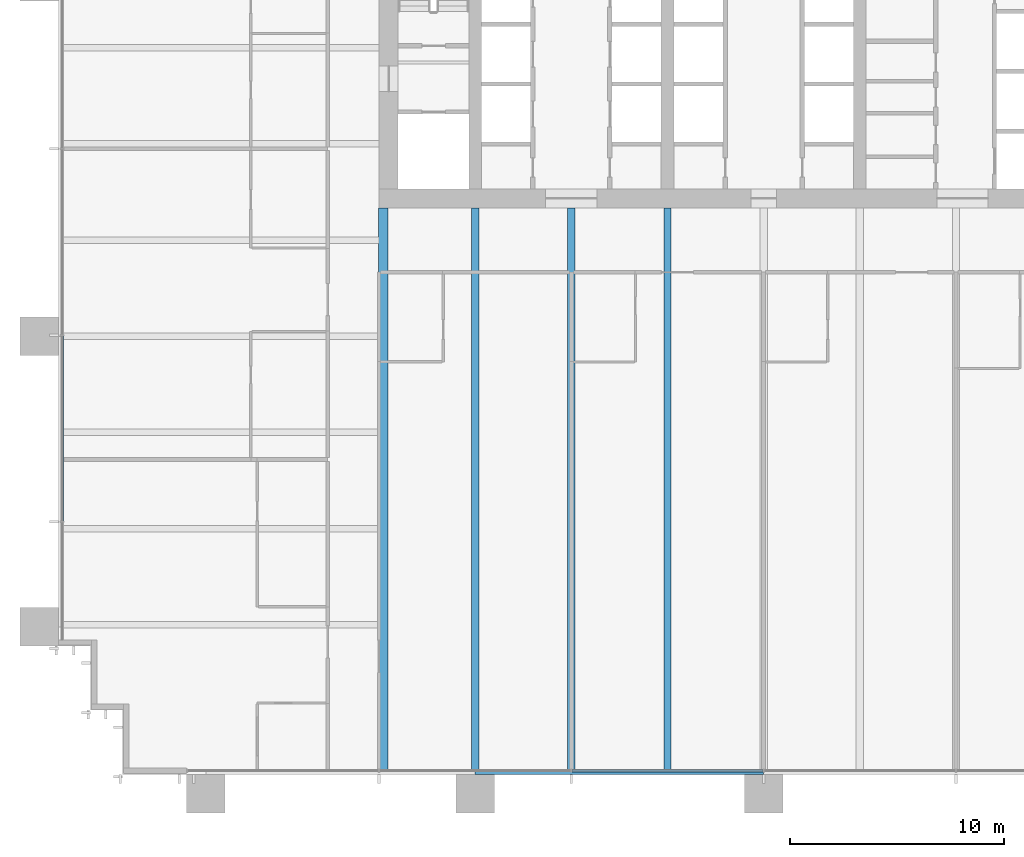
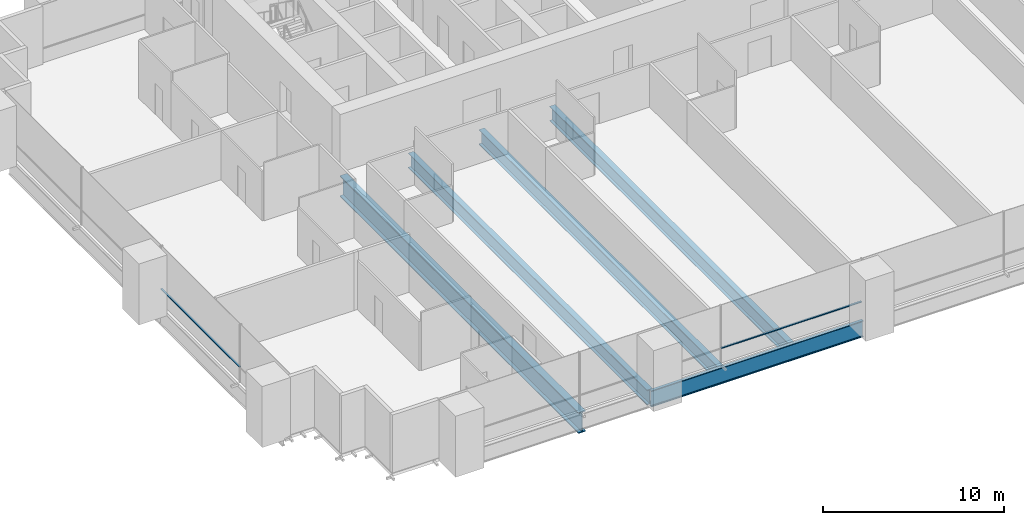
# One storey, part 3 of 17: 5 beams, 2 members, 2 elements without a shape of their own.
"""IFC4 building model written with IfcOpenShell, lengths in metres."""

import ifcopenshell
import ifcopenshell.guid

model = None  # the IFC model being written
_history = None  # IfcOwnerHistory: only IFC2X3 demands one
_inside = {}  # id of a spatial element -> (the spatial element, [elements in it])
_under = {}  # id of a project, library or spatial element -> (it, [spatial elements below it])
_declared = {}  # id of a project -> (the project, [libraries it declares])
_typed = {}  # id of a type object -> (the type object, [elements of that type])
_made_of = {}  # id of a material, layer set ... -> (it, [elements and type objects made of it])


def new_model(schema):
    """Start an empty IFC model of exactly this schema.

    Asked for "IFC4X3", IfcOpenShell would pick the latest addendum, in which some entities
    have other attributes; the version numbers below select the first issue.
    IFC2X3 requires an IfcOwnerHistory on every rooted entity: one is made here for all.
    """
    global model, _history
    if schema == "IFC4X3":
        model = ifcopenshell.file(schema_version=(4, 3, 0, 0))
    else:
        model = ifcopenshell.file(schema=schema)
    _inside.clear()
    _under.clear()
    _declared.clear()
    _typed.clear()
    _made_of.clear()
    _history = None
    if model.schema == "IFC2X3":
        org = make("IfcOrganization", Name="unknown")
        user = make(
            "IfcPersonAndOrganization",
            ThePerson=make("IfcPerson", FamilyName="unknown"),
            TheOrganization=org,
        )
        app = make(
            "IfcApplication",
            ApplicationDeveloper=org,
            Version="unknown",
            ApplicationFullName="unknown",
            ApplicationIdentifier="unknown",
        )
        _history = make(
            "IfcOwnerHistory",
            OwningUser=user,
            OwningApplication=app,
            ChangeAction="ADDED",
            CreationDate=0,
        )
    return model


def make(cls, **values):
    """One entity of the class cls with the attributes given. An attribute that is None is left unset."""
    return model.create_entity(
        cls, **{name: value for name, value in values.items() if value is not None}
    )


def rooted(cls, **values):
    """An entity with a GlobalId (a new one), such as an element, a storey or a relation."""
    return make(cls, GlobalId=ifcopenshell.guid.new(), OwnerHistory=_history, **values)


def si_unit(unit_type, name, prefix=None):
    """IfcSIUnit, for example si_unit("LENGTHUNIT", "METRE", prefix="MILLI")."""
    return make("IfcSIUnit", UnitType=unit_type, Prefix=prefix, Name=name)


def assignment(units):
    """IfcUnitAssignment: the units of a project."""
    return None if units is None else make("IfcUnitAssignment", Units=units)


def point(xyz):
    """IfcCartesianPoint."""
    return None if xyz is None else make("IfcCartesianPoint", Coordinates=xyz)


def direction(xyz):
    """IfcDirection."""
    return None if xyz is None else make("IfcDirection", DirectionRatios=xyz)


def frame(location, z_axis=None, x_axis=None):
    """IfcAxis2Placement3D, a coordinate frame: its origin and axes. An axis left out is left unset."""
    return make(
        "IfcAxis2Placement3D",
        Location=point(location),
        Axis=direction(z_axis),
        RefDirection=direction(x_axis),
    )


def frame_2d(location, x_axis=None):
    """IfcAxis2Placement2D, a coordinate frame in the plane: its origin and x axis."""
    return make(
        "IfcAxis2Placement2D", Location=point(location), RefDirection=direction(x_axis)
    )


def origin():
    """The frame at (0, 0, 0) with its axes left unset."""
    return frame((0.0, 0.0, 0.0))


def origin_2d():
    """The frame at (0, 0) in the plane with its x axis left unset."""
    return frame_2d((0.0, 0.0))


def place(relative_to, where):
    """IfcLocalPlacement: puts the frame where relative to a parent placement (None: the world)."""
    return make(
        "IfcLocalPlacement", PlacementRelTo=relative_to, RelativePlacement=where
    )


def context(
    kind, dimensions, precision=None, world=None, true_north=None, identifier=None
):
    """IfcGeometricRepresentationContext, for example the 3D "Model" context."""
    return make(
        "IfcGeometricRepresentationContext",
        ContextIdentifier=identifier,
        ContextType=kind,
        CoordinateSpaceDimension=dimensions,
        Precision=precision,
        WorldCoordinateSystem=world,
        TrueNorth=true_north,
    )


def subcontext(parent, identifier, kind, view, scale=None):
    """IfcGeometricRepresentationSubContext, for example "Body" below "Model"."""
    return make(
        "IfcGeometricRepresentationSubContext",
        ContextIdentifier=identifier,
        ContextType=kind,
        ParentContext=parent,
        TargetScale=scale,
        TargetView=view,
    )


def project(units=None, contexts=None):
    """IfcProject with its units and contexts."""
    return rooted(
        "IfcProject",
        Name="project",
        RepresentationContexts=contexts,
        UnitsInContext=assignment(units),
    )


def spatial(cls, under=None, at=None, **own):
    """A site, building, storey or space (cls), placed at a placement, below another one or the project."""
    s = rooted(cls, ObjectPlacement=at, **own)
    if under is not None:
        _under.setdefault(under.id(), (under, []))[1].append(s)
    return s


def profile(cls, at=None, kind="AREA", **sizes):
    """A parametric profile (cls). Its sizes go by their IFC names, for example OverallWidth=200.0."""
    return make(cls, ProfileType=kind, Position=at, **sizes)


def rectangle(**sizes):
    """IfcRectangleProfileDef."""
    return profile("IfcRectangleProfileDef", **sizes)


def i_section(**sizes):
    """IfcIShapeProfileDef."""
    return profile("IfcIShapeProfileDef", **sizes)


def extrude(swept, where, along, depth):
    """IfcExtrudedAreaSolid: the profile swept, set in the frame where, extruded along a direction by depth."""
    return make(
        "IfcExtrudedAreaSolid",
        SweptArea=swept,
        Position=where,
        ExtrudedDirection=direction(along),
        Depth=depth,
    )


def shape(context_of_items, identifier, shape_type, items):
    """IfcShapeRepresentation: the items that make up one representation, for example the "Body"."""
    return make(
        "IfcShapeRepresentation",
        ContextOfItems=context_of_items,
        RepresentationIdentifier=identifier,
        RepresentationType=shape_type,
        Items=items,
    )


def material(Name=None, Category=None):
    """IfcMaterial."""
    return make("IfcMaterial", Name=Name, Category=Category)


def material_profile(
    of_material, cross_section, Name=None, Category=None, Priority=None
):
    """IfcMaterialProfile: a cross section and its material."""
    return make(
        "IfcMaterialProfile",
        Name=Name,
        Material=of_material,
        Profile=cross_section,
        Priority=Priority,
        Category=Category,
    )


def profile_set(profiles, Name=None, composite=None):
    """IfcMaterialProfileSet."""
    return make(
        "IfcMaterialProfileSet",
        Name=Name,
        MaterialProfiles=profiles,
        CompositeProfile=composite,
    )


def made_of(thing, what):
    """Note that an element or type object is made of a material, layer set ...; save() writes the relation."""
    if what is not None:
        _made_of.setdefault(what.id(), (what, []))[1].append(thing)
    return thing


def type_object(cls, material=None, **own):
    """A type object (cls), such as IfcWallType, which elements share."""
    return made_of(rooted(cls, **own), material)


def element(
    cls,
    number,
    at=None,
    inside=None,
    cuts=None,
    type_object=None,
    material=None,
    context=None,
    identifier="Body",
    shape_type=None,
    held_by="IfcProductDefinitionShape",
    body=None,
    shapes=None,
    **own,
):
    """One element of the class cls, such as IfcWall. Its Tag is "e" and its number.

    at: its placement. inside: the storey or other place that contains it. cuts: it is an
    opening in that element (IfcRelVoidsElement). A single representation is given by context,
    identifier, shape_type and body (its items); several are given by shapes. held_by: the class
    of the entity that holds the representations. save() writes the other relations.
    """
    e = rooted(cls, Tag="e%d" % number, ObjectPlacement=at, **own)
    if body is not None:
        shapes = [shape(context, identifier, shape_type, body)]
    if shapes is not None:
        e.Representation = make(held_by, Representations=shapes)
    if inside is not None:
        _inside.setdefault(inside.id(), (inside, []))[1].append(e)
    if cuts is not None:
        rooted(
            "IfcRelVoidsElement", RelatingBuildingElement=cuts, RelatedOpeningElement=e
        )
    if type_object is not None:
        _typed.setdefault(type_object.id(), (type_object, []))[1].append(e)
    return made_of(e, material)


def aggregate(whole, parts):
    """IfcRelAggregates: a whole, such as a stair, and the parts it consists of."""
    return rooted("IfcRelAggregates", RelatingObject=whole, RelatedObjects=parts)


def save(model, path):
    """Write the relations noted so far, then the file.

    IfcRelAggregates (storeys below a building ...), IfcRelContainedInSpatialStructure (elements
    in a storey), IfcRelDefinesByType, IfcRelAssociatesMaterial and IfcRelDeclares: one each for
    every whole, place, type object, material and project.
    """
    for whole, parts in _under.values():
        aggregate(whole, parts)
    for where, things in _inside.values():
        rooted(
            "IfcRelContainedInSpatialStructure",
            RelatedElements=things,
            RelatingStructure=where,
        )
    for kind, things in _typed.values():
        rooted("IfcRelDefinesByType", RelatedObjects=things, RelatingType=kind)
    for what, things in _made_of.values():
        rooted("IfcRelAssociatesMaterial", RelatedObjects=things, RelatingMaterial=what)
    for by, libraries in _declared.values():
        rooted("IfcRelDeclares", RelatingContext=by, RelatedDefinitions=libraries)
    model.write(path)


model = new_model("IFC4")

# Units and contexts
model_context = context("Model", 3, precision=1e-05, world=origin(), true_north=direction((0.0, 1.0)))
body_context = subcontext(model_context, "Body", "Model", "MODEL_VIEW")
ifc_project = project(units=[si_unit("LENGTHUNIT", "METRE"), si_unit("AREAUNIT", "SQUARE_METRE"), si_unit("VOLUMEUNIT", "CUBIC_METRE"), si_unit("PLANEANGLEUNIT", "RADIAN"), si_unit("MASSUNIT", "GRAM", prefix="KILO")], contexts=[model_context])

# Site, building, storey
site_placement = place(None, origin())
site = spatial("IfcSite", under=ifc_project, at=site_placement, CompositionType="ELEMENT")
building_placement = place(site_placement, origin())
building = spatial("IfcBuilding", under=site, at=building_placement, Name="Rattan Terrace Tower", CompositionType="ELEMENT")
storey_placement = place(building_placement, frame((0.0, 0.0, 61.10009765625)))
storey = spatial("IfcBuildingStorey", under=building, at=storey_placement, Name="L13", CompositionType="ELEMENT", Elevation=61.10009765625)

# Curtain wall, member
ifc_material_1 = material(Name="Aluminium and glass", Category="aluminium")
curtain_wall_type = type_object("IfcCurtainWallType", Name="Facade Unitised Curtain Wall", PredefinedType="NOTDEFINED", material=ifc_material_1)
curtain_wall_1_placement = place(storey_placement, origin())
curtain_wall_1 = element("IfcCurtainWall", 1, at=curtain_wall_1_placement, inside=storey, type_object=curtain_wall_type, Name="Curtain wall L13-3", PredefinedType="NOTDEFINED")
ifc_material_2 = material(Name="Aluminium", Category="aluminium")
ifc_material_profile_1 = material_profile(ifc_material_2, rectangle(XDim=0.1201171875, YDim=0.06005859375, at=origin_2d()), Name="Aluminium 120x60")
ifc_profile_set_1 = profile_set([ifc_material_profile_1], Name="Aluminium")
member_type = type_object("IfcMemberType", Name="Facade CW Transom 120x60", PredefinedType="USERDEFINED", material=ifc_profile_set_1)
member_1_placement = place(storey_placement, frame((-32.830078125, -13.48388671875, 1.0), z_axis=(0.0, -1.0, 0.0), x_axis=(1.0, 0.0, 0.0)))
member_1 = element("IfcMember", 2, at=member_1_placement, type_object=member_type, Name="Transom cwl-L13-003.3", ObjectType="TRANSOM", PredefinedType="USERDEFINED", context=body_context, shape_type="SweptSolid", body=[
    extrude(rectangle(XDim=0.1201171875, YDim=0.06005859375, at=origin_2d()), origin(), (0.0, 0.0, 1.0), 8.6669921875),
])
aggregate(curtain_wall_1, [member_1])

curtain_wall_2_placement = place(storey_placement, origin())
curtain_wall_2 = element("IfcCurtainWall", 3, at=curtain_wall_2_placement, inside=storey, type_object=curtain_wall_type, Name="Curtain wall L13-4", PredefinedType="NOTDEFINED")
member_2_placement = place(storey_placement, frame((-8.969970703125, -33.830078125, 1.0), z_axis=(1.0, 0.0, 0.0), x_axis=(0.0, 1.0, 0.0)))
member_2 = element("IfcMember", 4, at=member_2_placement, type_object=member_type, Name="Transom cwl-L13-004.3", ObjectType="TRANSOM", PredefinedType="USERDEFINED", context=body_context, shape_type="SweptSolid", body=[
    extrude(rectangle(XDim=0.1201171875, YDim=0.06005859375, at=origin_2d()), origin(), (0.0, 0.0, 1.0), 8.93994140625),
])
aggregate(curtain_wall_2, [member_2])

# Beams
ifc_material_3 = material(Name="Steel S460", Category="steel")
ifc_material_profile_2 = material_profile(ifc_material_3, i_section(OverallWidth=0.449951171875, OverallDepth=1.39990234375, WebThickness=0.02197265625, FlangeThickness=0.054931640625, at=origin_2d()), Name="PG 1400x450-22-55")
ifc_profile_set_2 = profile_set([ifc_material_profile_2], Name="Steel S460")
beam_type_1 = type_object("IfcBeamType", Name="Frame core girder PG 1400x450-22-55", PredefinedType="BEAM", material=ifc_profile_set_2)
beam_1_placement = place(storey_placement, frame((-17.800048828125, -33.820068359375, -0.900146484375), z_axis=(0.0, 1.0, 0.0), x_axis=(-1.0, 0.0, 0.0)))
element("IfcBeam", 5, at=beam_1_placement, inside=storey, type_object=beam_type_1, Name="gdr-L13-013", PredefinedType="BEAM", context=body_context, shape_type="SweptSolid", body=[
    extrude(i_section(OverallWidth=0.449951171875, OverallDepth=1.39990234375, WebThickness=0.02197265625, FlangeThickness=0.054931640625, at=origin_2d()), origin(), (0.0, 0.0, 1.0), 26.320068359375),
])
ifc_material_4 = material(Name="Steel S460", Category="steel")
ifc_material_profile_3 = material_profile(ifc_material_4, i_section(OverallWidth=0.179931640625, OverallDepth=1.10009765625, WebThickness=0.01611328125, FlangeThickness=0.050048828125, at=origin_2d()), Name="PG 1100x180-16-50")
ifc_profile_set_3 = profile_set([ifc_material_profile_3], Name="Steel S460")
beam_type_2 = type_object("IfcBeamType", Name="Frame edge girder PG 1100x180-16-50", PredefinedType="SPANDREL", material=ifc_profile_set_3)
beam_2_placement = place(storey_placement, frame((-13.5, -33.909912109375, -0.75), z_axis=(1.0, 0.0, 0.0), x_axis=(0.0, 1.0, 0.0)))
element("IfcBeam", 6, at=beam_2_placement, inside=storey, type_object=beam_type_2, Name="gdr-L13-002", PredefinedType="SPANDREL", context=body_context, shape_type="SweptSolid", body=[
    extrude(i_section(OverallWidth=0.179931640625, OverallDepth=1.10009765625, WebThickness=0.01611328125, FlangeThickness=0.050048828125, at=origin_2d()), origin(), (0.0, 0.0, 1.0), 13.5),
])
ifc_material_5 = material(Name="Steel S460", Category="steel")
ifc_material_profile_4 = material_profile(ifc_material_5, i_section(OverallWidth=0.35009765625, OverallDepth=1.0, WebThickness=0.01611328125, FlangeThickness=0.044921875, at=origin_2d()), Name="PG 1000x350-16-45")
ifc_profile_set_4 = profile_set([ifc_material_profile_4], Name="Steel S460")
beam_type_3 = type_object("IfcBeamType", Name="Frame floor beam PG 1000x350-16-45", PredefinedType="JOIST", material=ifc_profile_set_4)
for number, where, z_axis, x_axis, name in (
    (7, (-13.5, -33.820068359375, -0.7001953125), (0.0, 1.0, 0.0), (-1.0, 0.0, 0.0), "bm-L13-003"),
    (8, (-9.0, -33.820068359375, -0.7001953125), (0.0, 1.0, 0.0), (-1.0, 0.0, 0.0), "bm-L13-004"),
    (9, (-4.5, -33.820068359375, -0.7001953125), (0.0, 1.0, 0.0), (-1.0, 0.0, 0.0), "bm-L13-005"),
):
    element("IfcBeam", number, at=place(storey_placement, frame(where, z_axis=z_axis, x_axis=x_axis)), inside=storey, type_object=beam_type_3, Name=name, PredefinedType="JOIST", context=body_context, shape_type="SweptSolid", body=[
        extrude(i_section(OverallWidth=0.35009765625, OverallDepth=1.0, WebThickness=0.01611328125, FlangeThickness=0.044921875, at=origin_2d()), origin(), (0.0, 0.0, 1.0), 26.320068359375),
    ])

save(model, "model.ifc")
